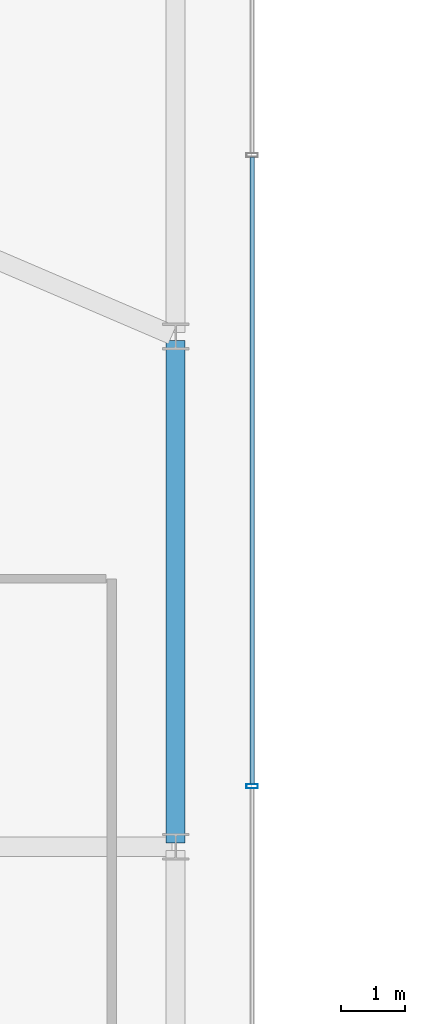
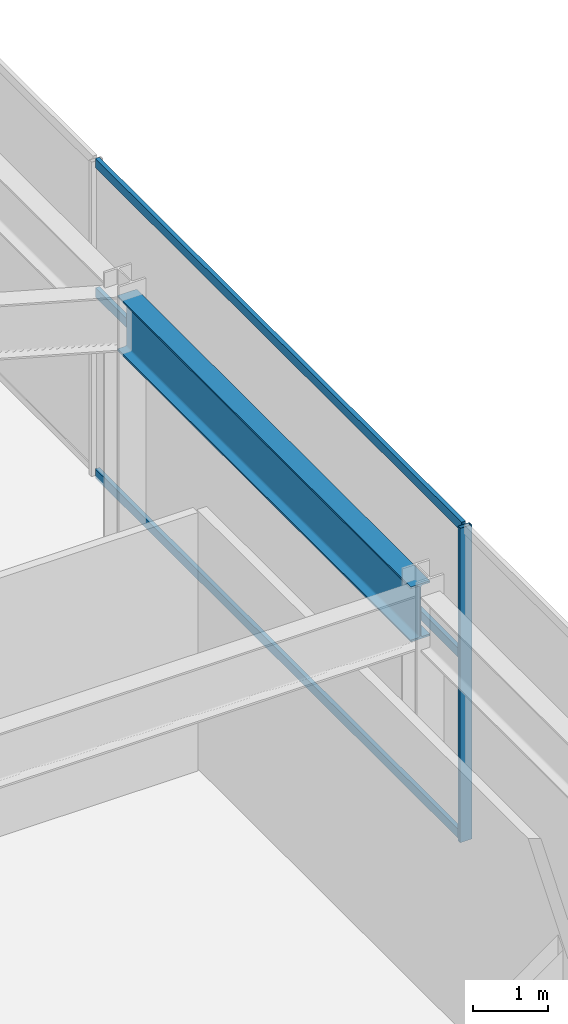
# One storey, part 28 of 53: 4 members, 1 beam, 1 element without a shape of its own.
"""IFC4 building model written with IfcOpenShell, lengths in metres."""

from ifc_helpers import new_model, si_unit, direction, frame, origin, origin_2d, place, context, subcontext, project, spatial, hollow_rectangle, i_section, extrude, material, material_profile, profile_set, type_object, element, aggregate, save


model = new_model("IFC4")

# Units and contexts
model_context = context("Model", 3, precision=1e-05, world=origin(), true_north=direction((0.0, 1.0)))
body_context = subcontext(model_context, "Body", "Model", "MODEL_VIEW")
ifc_project = project(units=[si_unit("LENGTHUNIT", "METRE"), si_unit("AREAUNIT", "SQUARE_METRE"), si_unit("VOLUMEUNIT", "CUBIC_METRE"), si_unit("PLANEANGLEUNIT", "RADIAN"), si_unit("MASSUNIT", "GRAM", prefix="KILO")], contexts=[model_context])

# Site, building, storey
site_placement = place(None, origin())
site = spatial("IfcSite", under=ifc_project, at=site_placement, CompositionType="ELEMENT")
building_placement = place(site_placement, origin())
building = spatial("IfcBuilding", under=site, at=building_placement, Name="Saevonmaru Cultural Tower", CompositionType="ELEMENT")
storey_placement = place(building_placement, frame((0.0, 0.0, 22.199951171875)))
storey = spatial("IfcBuildingStorey", under=building, at=storey_placement, Name="L04", CompositionType="ELEMENT", Elevation=22.199951171875)

# Beam
ifc_material_1 = material(Name="Steel SM420", Category="steel")
ifc_material_profile_1 = material_profile(ifc_material_1, i_section(OverallWidth=0.300048828125, OverallDepth=0.89990234375, WebThickness=0.01611328125, FlangeThickness=0.028076171875, FilletRadius=0.028076171875, at=origin_2d()), Name="H-900x300x16x28")
ifc_profile_set_1 = profile_set([ifc_material_profile_1], Name="Steel SM420")
beam_type = type_object("IfcBeamType", Name="BM-G-H900", PredefinedType="BEAM", material=ifc_profile_set_1)
beam_placement = place(storey_placement, frame((58.800048828125, 32.06005859375, 4.699951171875), z_axis=(0.0, 1.0, 0.0), x_axis=(-1.0, 0.0, 0.0)))
element("IfcBeam", 1, at=beam_placement, inside=storey, type_object=beam_type, Name="BM-POD-PE-4-L04", PredefinedType="BEAM", context=body_context, shape_type="SweptSolid", body=[
    extrude(i_section(OverallWidth=0.300048828125, OverallDepth=0.89990234375, WebThickness=0.01611328125, FlangeThickness=0.028076171875, FilletRadius=0.028076171875, at=origin_2d()), origin(), (0.0, 0.0, 1.0), 7.8798828125),
])

# Curtain wall, members
ifc_material_2 = material(Name="Satin Bronze Anodised Aluminium", Category="aluminium")
curtain_wall_type = type_object("IfcCurtainWallType", Name="CW-POD-GLZ", PredefinedType="NOTDEFINED", material=ifc_material_2)
curtain_wall_placement = place(storey_placement, origin())
curtain_wall = element("IfcCurtainWall", 2, at=curtain_wall_placement, inside=storey, type_object=curtain_wall_type, Name="L04 Saevon Plaza Curtain Wall", PredefinedType="NOTDEFINED")
ifc_material_profile_2 = material_profile(ifc_material_2, hollow_rectangle(XDim=0.06494140625, YDim=0.179931640625, WallThickness=0.00390625, at=origin_2d()), Name="ALU-MULL-180x65x4")
ifc_profile_set_2 = profile_set([ifc_material_profile_2], Name="Satin Bronze Anodised Aluminium")
member_type_1 = type_object("IfcMemberType", Name="ML-CW-180x65", PredefinedType="MULLION", material=ifc_profile_set_2)
member_1_placement = place(storey_placement, frame((60.0, 32.947998046875, 0.0), z_axis=(0.0, 0.0, 1.0), x_axis=(0.0, 1.0, 0.0)))
member_1 = element("IfcMember", 3, at=member_1_placement, type_object=member_type_1, Name="CW-POD-E-L04 mullion 4", PredefinedType="MULLION", context=body_context, shape_type="SweptSolid", body=[
    extrude(hollow_rectangle(XDim=0.06494140625, YDim=0.179931640625, WallThickness=0.00390625, at=origin_2d()), origin(), (0.0, 0.0, 1.0), 5.150146484375),
])
ifc_material_profile_3 = material_profile(ifc_material_2, hollow_rectangle(XDim=0.06494140625, YDim=0.14990234375, WallThickness=0.00390625, at=origin_2d()), Name="ALU-TRAN-150x65x4")
ifc_profile_set_3 = profile_set([ifc_material_profile_3], Name="Satin Bronze Anodised Aluminium")
member_type_2 = type_object("IfcMemberType", Name="TR-CW-150x65", PredefinedType="USERDEFINED", material=ifc_profile_set_3)
member_2_placement = place(storey_placement, frame((60.0, 32.98046875, 0.032470703125), z_axis=(0.0, 1.0, 0.0), x_axis=(-1.0, 0.0, 0.0)))
member_2 = element("IfcMember", 4, at=member_2_placement, type_object=member_type_2, Name="CW-POD-E-L04 transom 4.1", ObjectType="TRANSOM", PredefinedType="USERDEFINED", context=body_context, shape_type="SweptSolid", body=[
    extrude(hollow_rectangle(XDim=0.06494140625, YDim=0.14990234375, WallThickness=0.00390625, at=origin_2d()), origin(), (0.0, 0.0, 1.0), 9.8310546875),
])
member_3_placement = place(storey_placement, frame((60.0, 32.98046875, 3.0), z_axis=(0.0, 1.0, 0.0), x_axis=(-1.0, 0.0, 0.0)))
member_3 = element("IfcMember", 5, at=member_3_placement, type_object=member_type_2, Name="CW-POD-E-L04 transom 4.2", ObjectType="TRANSOM", PredefinedType="USERDEFINED", context=body_context, shape_type="SweptSolid", body=[
    extrude(hollow_rectangle(XDim=0.06494140625, YDim=0.14990234375, WallThickness=0.00390625, at=origin_2d()), origin(), (0.0, 0.0, 1.0), 9.8310546875),
])
member_4_placement = place(storey_placement, frame((60.0, 32.98046875, 5.117431640625), z_axis=(0.0, 1.0, 0.0), x_axis=(-1.0, 0.0, 0.0)))
member_4 = element("IfcMember", 6, at=member_4_placement, type_object=member_type_2, Name="CW-POD-E-L04 transom 4.3", ObjectType="TRANSOM", PredefinedType="USERDEFINED", context=body_context, shape_type="SweptSolid", body=[
    extrude(hollow_rectangle(XDim=0.06494140625, YDim=0.14990234375, WallThickness=0.00390625, at=origin_2d()), origin(), (0.0, 0.0, 1.0), 9.8310546875),
])
aggregate(curtain_wall, [member_1, member_2, member_3, member_4])

save(model, "model.ifc")
